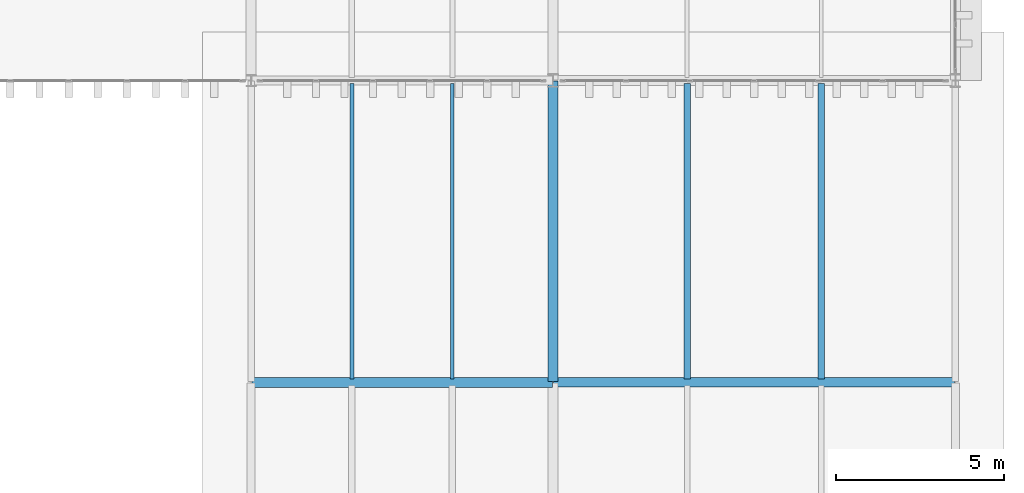
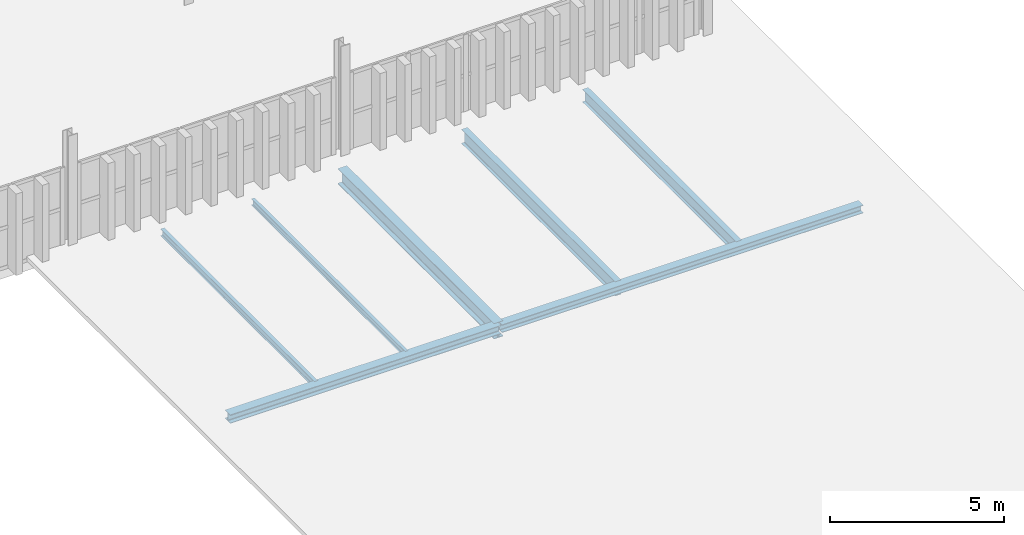
# One storey, part 28 of 102: 7 beams.
"""IFC4 building model written with IfcOpenShell, lengths in metres."""

from ifc_helpers import new_model, si_unit, direction, frame, origin, origin_2d, place, context, subcontext, project, spatial, i_section, extrude, material, material_profile, profile_set, type_object, element, save


model = new_model("IFC4")

# Units and contexts
model_context = context("Model", 3, precision=1e-05, world=origin(), true_north=direction((0.0, 1.0)))
body_context = subcontext(model_context, "Body", "Model", "MODEL_VIEW")
ifc_project = project(units=[si_unit("LENGTHUNIT", "METRE"), si_unit("AREAUNIT", "SQUARE_METRE"), si_unit("VOLUMEUNIT", "CUBIC_METRE"), si_unit("PLANEANGLEUNIT", "RADIAN"), si_unit("MASSUNIT", "GRAM", prefix="KILO")], contexts=[model_context])

# Site, building, storey
site_placement = place(None, origin())
site = spatial("IfcSite", under=ifc_project, at=site_placement, CompositionType="ELEMENT")
building_placement = place(site_placement, origin())
building = spatial("IfcBuilding", under=site, at=building_placement, Name="Barlavento Convention Centre", CompositionType="ELEMENT")
storey_placement = place(building_placement, frame((0.0, 0.0, 22.800048828125)))
storey = spatial("IfcBuildingStorey", under=building, at=storey_placement, Name="L04", CompositionType="ELEMENT", Elevation=22.800048828125)

# Beams
ifc_material = material(Name="Steel S355", Category="steel")
ifc_material_profile_1 = material_profile(ifc_material, i_section(OverallWidth=0.110107421875, OverallDepth=0.219970703125, WebThickness=0.005859375, FlangeThickness=0.00927734375, FilletRadius=0.011962890625, at=origin_2d()), Name="IPE 220")
ifc_profile_set_1 = profile_set([ifc_material_profile_1], Name="Steel S355")
beam_type_1 = type_object("IfcBeamType", Name="STR-BM-JST-IPE220", PredefinedType="JOIST", material=ifc_profile_set_1)
beam_1_placement = place(storey_placement, frame((177.0, 18.094970703125, -0.47509765625), z_axis=(0.0, 1.0, 0.0), x_axis=(-1.0, 0.0, 0.0)))
element("IfcBeam", 1, at=beam_1_placement, inside=storey, type_object=beam_type_1, Name="L04 composite floor joist SJ10", PredefinedType="JOIST", context=body_context, shape_type="SweptSolid", body=[
    extrude(i_section(OverallWidth=0.110107421875, OverallDepth=0.219970703125, WebThickness=0.005859375, FlangeThickness=0.00927734375, FilletRadius=0.011962890625, at=origin_2d()), origin(), (0.0, 0.0, 1.0), 8.81005859375),
])
ifc_material_profile_2 = material_profile(ifc_material, i_section(OverallWidth=0.1201171875, OverallDepth=0.239990234375, WebThickness=0.006103515625, FlangeThickness=0.009765625, FilletRadius=0.014892578125, at=origin_2d()), Name="IPE 240")
ifc_profile_set_2 = profile_set([ifc_material_profile_2], Name="Steel S355")
beam_type_2 = type_object("IfcBeamType", Name="STR-BM-JST-IPE240", PredefinedType="JOIST", material=ifc_profile_set_2)
beam_2_placement = place(storey_placement, frame((174.0, 18.094970703125, -0.485107421875), z_axis=(0.0, 1.0, 0.0), x_axis=(-1.0, 0.0, 0.0)))
element("IfcBeam", 2, at=beam_2_placement, inside=storey, type_object=beam_type_2, Name="L04 composite floor joist SJ09", PredefinedType="JOIST", context=body_context, shape_type="SweptSolid", body=[
    extrude(i_section(OverallWidth=0.1201171875, OverallDepth=0.239990234375, WebThickness=0.006103515625, FlangeThickness=0.009765625, FilletRadius=0.014892578125, at=origin_2d()), origin(), (0.0, 0.0, 1.0), 8.81005859375),
])
ifc_material_profile_3 = material_profile(ifc_material, i_section(OverallWidth=0.18994140625, OverallDepth=0.449951171875, WebThickness=0.009521484375, FlangeThickness=0.0146484375, FilletRadius=0.02099609375, at=origin_2d()), Name="IPE 450")
ifc_profile_set_3 = profile_set([ifc_material_profile_3], Name="Steel S355")
beam_type_3 = type_object("IfcBeamType", Name="STR-BM-JST-IPE450", PredefinedType="JOIST", material=ifc_profile_set_3)
beam_3_placement = place(storey_placement, frame((188.0, 18.094970703125, -0.590087890625), z_axis=(0.0, 1.0, 0.0), x_axis=(-1.0, 0.0, 0.0)))
element("IfcBeam", 3, at=beam_3_placement, inside=storey, type_object=beam_type_3, Name="L04 composite floor joist SJ03", PredefinedType="JOIST", context=body_context, shape_type="SweptSolid", body=[
    extrude(i_section(OverallWidth=0.18994140625, OverallDepth=0.449951171875, WebThickness=0.009521484375, FlangeThickness=0.0146484375, FilletRadius=0.02099609375, at=origin_2d()), origin(), (0.0, 0.0, 1.0), 8.81005859375),
])
ifc_material_profile_4 = material_profile(ifc_material, i_section(OverallWidth=0.199951171875, OverallDepth=0.5, WebThickness=0.01025390625, FlangeThickness=0.01611328125, FilletRadius=0.02099609375, at=origin_2d()), Name="IPE 500")
ifc_profile_set_4 = profile_set([ifc_material_profile_4], Name="Steel S355")
beam_type_4 = type_object("IfcBeamType", Name="STR-BM-JST-IPE500", PredefinedType="JOIST", material=ifc_profile_set_4)
beam_4_placement = place(storey_placement, frame((184.0, 18.094970703125, -0.614990234375), z_axis=(0.0, 1.0, 0.0), x_axis=(-1.0, 0.0, 0.0)))
element("IfcBeam", 4, at=beam_4_placement, inside=storey, type_object=beam_type_4, Name="L04 composite floor joist SJ02", PredefinedType="JOIST", context=body_context, shape_type="SweptSolid", body=[
    extrude(i_section(OverallWidth=0.199951171875, OverallDepth=0.5, WebThickness=0.01025390625, FlangeThickness=0.01611328125, FilletRadius=0.02099609375, at=origin_2d()), origin(), (0.0, 0.0, 1.0), 8.81005859375),
])
ifc_material_profile_5 = material_profile(ifc_material, i_section(OverallWidth=0.300048828125, OverallDepth=0.5400390625, WebThickness=0.012451171875, FlangeThickness=0.02392578125, FilletRadius=0.027099609375, at=origin_2d()), Name="HEA 550")
ifc_profile_set_5 = profile_set([ifc_material_profile_5], Name="Steel S355")
beam_type_5 = type_object("IfcBeamType", Name="STR-BM-PRI-HEA550", PredefinedType="BEAM", material=ifc_profile_set_5)
beam_5_placement = place(storey_placement, frame((180.0, 18.02001953125, -0.635009765625), z_axis=(0.0, 1.0, 0.0), x_axis=(-1.0, 0.0, 0.0)))
element("IfcBeam", 5, at=beam_5_placement, inside=storey, type_object=beam_type_5, Name="L04 grid girder BG19", PredefinedType="BEAM", context=body_context, shape_type="SweptSolid", body=[
    extrude(i_section(OverallWidth=0.300048828125, OverallDepth=0.5400390625, WebThickness=0.012451171875, FlangeThickness=0.02392578125, FilletRadius=0.027099609375, at=origin_2d()), origin(), (0.0, 0.0, 1.0), 8.9599609375),
])
ifc_material_profile_6 = material_profile(ifc_material, i_section(OverallWidth=0.280029296875, OverallDepth=0.280029296875, WebThickness=0.010498046875, FlangeThickness=0.01806640625, FilletRadius=0.02392578125, at=origin_2d()), Name="HEB 280")
ifc_profile_set_6 = profile_set([ifc_material_profile_6], Name="Steel S355")
beam_type_6 = type_object("IfcBeamType", Name="STR-BM-PRI-HEB280", PredefinedType="BEAM", material=ifc_profile_set_6)
beam_6_placement = place(storey_placement, frame((180.02001953125, 18.0, -0.505126953125), z_axis=(1.0, 0.0, 0.0), x_axis=(0.0, 1.0, 0.0)))
element("IfcBeam", 6, at=beam_6_placement, inside=storey, type_object=beam_type_6, Name="L04 primary girder BG15", PredefinedType="BEAM", context=body_context, shape_type="SweptSolid", body=[
    extrude(i_section(OverallWidth=0.280029296875, OverallDepth=0.280029296875, WebThickness=0.010498046875, FlangeThickness=0.01806640625, FilletRadius=0.02392578125, at=origin_2d()), origin(), (0.0, 0.0, 1.0), 11.9599609375),
])
ifc_material_profile_7 = material_profile(ifc_material, i_section(OverallWidth=0.300048828125, OverallDepth=0.300048828125, WebThickness=0.010986328125, FlangeThickness=0.01904296875, FilletRadius=0.027099609375, at=origin_2d()), Name="HEB 300")
ifc_profile_set_7 = profile_set([ifc_material_profile_7], Name="Steel S355")
beam_type_7 = type_object("IfcBeamType", Name="STR-BM-PRI-HEB300", PredefinedType="BEAM", material=ifc_profile_set_7)
beam_7_placement = place(storey_placement, frame((171.02001953125, 18.0, -0.51513671875), z_axis=(1.0, 0.0, 0.0), x_axis=(0.0, 1.0, 0.0)))
element("IfcBeam", 7, at=beam_7_placement, inside=storey, type_object=beam_type_7, Name="L04 primary girder BG14", PredefinedType="BEAM", context=body_context, shape_type="SweptSolid", body=[
    extrude(i_section(OverallWidth=0.300048828125, OverallDepth=0.300048828125, WebThickness=0.010986328125, FlangeThickness=0.01904296875, FilletRadius=0.027099609375, at=origin_2d()), origin(), (0.0, 0.0, 1.0), 8.9599609375),
])

save(model, "model.ifc")
